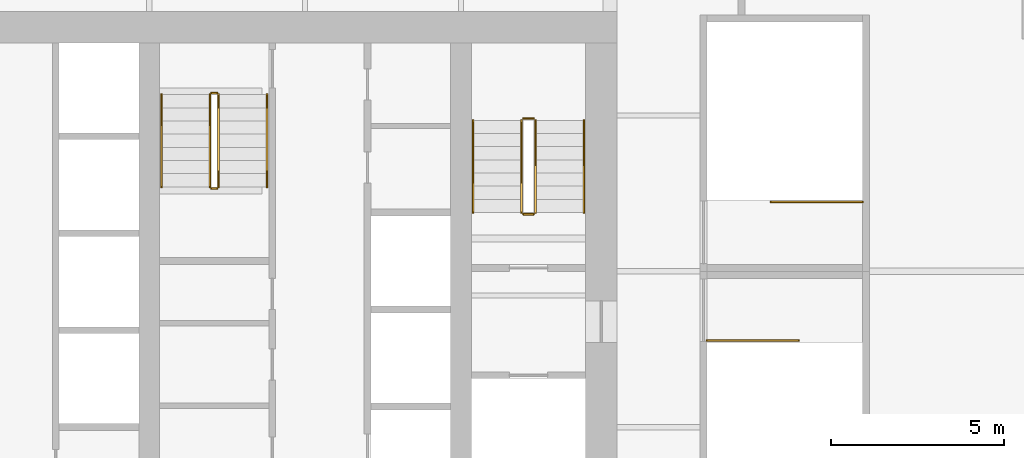
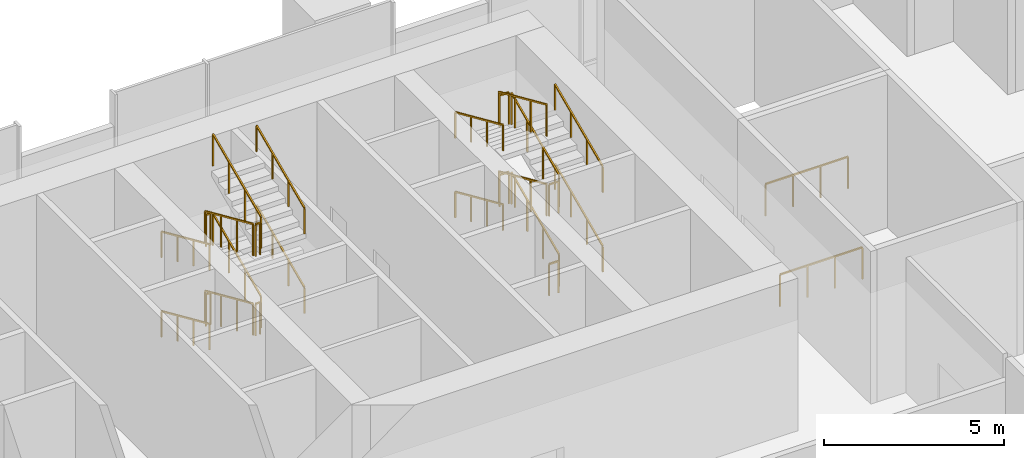
# One storey, part 15 of 16: 26 railings.
"""IFC4 building model written with IfcOpenShell, lengths in metres."""

from ifc_helpers import new_model, si_unit, direction, frame, origin, origin_2d, place, context, subcontext, project, spatial, rectangle, extrude, material, type_object, element, save


model = new_model("IFC4")

# Units and contexts
model_context = context("Model", 3, precision=1e-05, world=origin(), true_north=direction((0.0, 1.0)))
body_context = subcontext(model_context, "Body", "Model", "MODEL_VIEW")
ifc_project = project(units=[si_unit("LENGTHUNIT", "METRE"), si_unit("AREAUNIT", "SQUARE_METRE"), si_unit("VOLUMEUNIT", "CUBIC_METRE"), si_unit("PLANEANGLEUNIT", "RADIAN"), si_unit("MASSUNIT", "GRAM", prefix="KILO")], contexts=[model_context])

# Site, building, storey
site_placement = place(None, origin())
site = spatial("IfcSite", under=ifc_project, at=site_placement, CompositionType="ELEMENT")
building_placement = place(site_placement, origin())
building = spatial("IfcBuilding", under=site, at=building_placement, Name="Rattan Terrace Tower", CompositionType="ELEMENT")
storey_placement = place(building_placement, frame((0.0, 0.0, 27.0)))
storey = spatial("IfcBuildingStorey", under=building, at=storey_placement, Name="L05", CompositionType="ELEMENT", Elevation=27.0)

# Railings
ifc_material_1 = material(Name="Powder-coated steel guard", Category="steel")
railing_type_1 = type_object("IfcRailingType", Name="Core stair guard", PredefinedType="GUARDRAIL", material=ifc_material_1)
railing_1_placement = place(storey_placement, frame((15.64990234375, 1.699951171875, 0.168701171875)))
element("IfcRailing", 1, at=railing_1_placement, inside=storey, type_object=railing_type_1, Name="L05 S2 stair guard 1", PredefinedType="GUARDRAIL", context=body_context, shape_type="SweptSolid", body=[
    extrude(rectangle(XDim=0.048095703125, YDim=0.048095703125, at=origin_2d()), frame((0.0, 0.0, 1.076171875), z_axis=(0.0, 0.913925654661, 0.405881630223), x_axis=(-1.0, 0.0, 0.0)), (0.0, 0.0, 1.0), 2.91064453125),
    extrude(rectangle(XDim=0.0419921875, YDim=0.0419921875, at=origin_2d()), origin(), (0.0, 0.0, 1.0), 1.052001953125),
    extrude(rectangle(XDim=0.0419921875, YDim=0.0419921875, at=origin_2d()), frame((0.0, 0.88671875, 0.393798828125)), (0.0, 0.0, 1.0), 1.052001953125),
    extrude(rectangle(XDim=0.0419921875, YDim=0.0419921875, at=origin_2d()), frame((0.0, 1.7734375, 0.78759765625)), (0.0, 0.0, 1.0), 1.052001953125),
    extrude(rectangle(XDim=0.0419921875, YDim=0.0419921875, at=origin_2d()), frame((0.0, 2.66015625, 1.181396484375)), (0.0, 0.0, 1.0), 1.052001953125),
])
railing_2_placement = place(storey_placement, frame((15.60009765625, 4.409912109375, 1.35009765625)))
element("IfcRailing", 2, at=railing_2_placement, inside=storey, type_object=railing_type_1, Name="L05 S2 stair guard 2", PredefinedType="GUARDRAIL", context=body_context, shape_type="SweptSolid", body=[
    extrude(rectangle(XDim=0.048095703125, YDim=0.048095703125, at=origin_2d()), frame((0.0, 0.0, 1.076171875), z_axis=(-1.0, 0.0, 0.0), x_axis=(0.0, -1.0, 0.0)), (0.0, 0.0, 1.0), 0.300048828125),
    extrude(rectangle(XDim=0.0419921875, YDim=0.0419921875, at=origin_2d()), origin(), (0.0, 0.0, 1.0), 1.052001953125),
    extrude(rectangle(XDim=0.0419921875, YDim=0.0419921875, at=origin_2d()), frame((-0.300048828125, 0.0, 0.0)), (0.0, 0.0, 1.0), 1.052001953125),
])
railing_3_placement = place(storey_placement, frame((15.25, 4.360107421875, 1.518798828125)))
element("IfcRailing", 3, at=railing_3_placement, inside=storey, type_object=railing_type_1, Name="L05 S2 stair guard 3", PredefinedType="GUARDRAIL", context=body_context, shape_type="SweptSolid", body=[
    extrude(rectangle(XDim=0.048095703125, YDim=0.048095703125, at=origin_2d()), frame((0.0, 0.0, 1.076171875), z_axis=(0.0, -0.913956766905, 0.405811567391), x_axis=(1.0, 0.0, 0.0)), (0.0, 0.0, 1.0), 2.91064453125),
    extrude(rectangle(XDim=0.0419921875, YDim=0.0419921875, at=origin_2d()), origin(), (0.0, 0.0, 1.0), 1.052001953125),
    extrude(rectangle(XDim=0.0419921875, YDim=0.0419921875, at=origin_2d()), frame((0.0, -0.88671875, 0.393798828125)), (0.0, 0.0, 1.0), 1.052001953125),
    extrude(rectangle(XDim=0.0419921875, YDim=0.0419921875, at=origin_2d()), frame((0.0, -1.7734375, 0.787353515625)), (0.0, 0.0, 1.0), 1.052001953125),
    extrude(rectangle(XDim=0.0419921875, YDim=0.0419921875, at=origin_2d()), frame((0.0, -2.66015625, 1.18115234375)), (0.0, 0.0, 1.0), 1.052001953125),
])
railing_4_placement = place(storey_placement, frame((15.60009765625, 1.64990234375, 2.699951171875)))
element("IfcRailing", 4, at=railing_4_placement, inside=storey, type_object=railing_type_1, Name="L05 S2 stair guard 4", PredefinedType="GUARDRAIL", context=body_context, shape_type="SweptSolid", body=[
    extrude(rectangle(XDim=0.048095703125, YDim=0.048095703125, at=origin_2d()), frame((0.0, 0.0, 1.076171875), z_axis=(-1.0, 0.0, 0.0), x_axis=(0.0, -1.0, 0.0)), (0.0, 0.0, 1.0), 0.300048828125),
    extrude(rectangle(XDim=0.0419921875, YDim=0.0419921875, at=origin_2d()), origin(), (0.0, 0.0, 1.0), 1.052001953125),
    extrude(rectangle(XDim=0.0419921875, YDim=0.0419921875, at=origin_2d()), frame((-0.300048828125, 0.0, 0.0)), (0.0, 0.0, 1.0), 1.052001953125),
])
railing_5_placement = place(storey_placement, frame((15.64990234375, 1.699951171875, 2.86865234375)))
element("IfcRailing", 5, at=railing_5_placement, inside=storey, type_object=railing_type_1, Name="L05 S2 stair guard 5", PredefinedType="GUARDRAIL", context=body_context, shape_type="SweptSolid", body=[
    extrude(rectangle(XDim=0.048095703125, YDim=0.048095703125, at=origin_2d()), frame((0.0, 0.0, 1.076171875), z_axis=(0.0, 0.913925654661, 0.405881630223), x_axis=(-1.0, 0.0, 0.0)), (0.0, 0.0, 1.0), 2.91064453125),
    extrude(rectangle(XDim=0.0419921875, YDim=0.0419921875, at=origin_2d()), origin(), (0.0, 0.0, 1.0), 1.052001953125),
    extrude(rectangle(XDim=0.0419921875, YDim=0.0419921875, at=origin_2d()), frame((0.0, 0.88671875, 0.393798828125)), (0.0, 0.0, 1.0), 1.052001953125),
    extrude(rectangle(XDim=0.0419921875, YDim=0.0419921875, at=origin_2d()), frame((0.0, 1.7734375, 0.78759765625)), (0.0, 0.0, 1.0), 1.052001953125),
    extrude(rectangle(XDim=0.0419921875, YDim=0.0419921875, at=origin_2d()), frame((0.0, 2.66015625, 1.181396484375)), (0.0, 0.0, 1.0), 1.052001953125),
])
railing_6_placement = place(storey_placement, frame((15.60009765625, 4.409912109375, 4.050048828125)))
element("IfcRailing", 6, at=railing_6_placement, inside=storey, type_object=railing_type_1, Name="L05 S2 stair guard 6", PredefinedType="GUARDRAIL", context=body_context, shape_type="SweptSolid", body=[
    extrude(rectangle(XDim=0.048095703125, YDim=0.048095703125, at=origin_2d()), frame((0.0, 0.0, 1.076171875), z_axis=(-1.0, 0.0, 0.0), x_axis=(0.0, -1.0, 0.0)), (0.0, 0.0, 1.0), 0.300048828125),
    extrude(rectangle(XDim=0.0419921875, YDim=0.0419921875, at=origin_2d()), origin(), (0.0, 0.0, 1.0), 1.052001953125),
    extrude(rectangle(XDim=0.0419921875, YDim=0.0419921875, at=origin_2d()), frame((-0.300048828125, 0.0, 0.0)), (0.0, 0.0, 1.0), 1.052001953125),
])
railing_7_placement = place(storey_placement, frame((15.25, 4.360107421875, 4.21875)))
element("IfcRailing", 7, at=railing_7_placement, inside=storey, type_object=railing_type_1, Name="L05 S2 stair guard 7", PredefinedType="GUARDRAIL", context=body_context, shape_type="SweptSolid", body=[
    extrude(rectangle(XDim=0.048095703125, YDim=0.048095703125, at=origin_2d()), frame((0.0, 0.0, 1.076171875), z_axis=(0.0, -0.913956766905, 0.405811567391), x_axis=(1.0, 0.0, 0.0)), (0.0, 0.0, 1.0), 2.91064453125),
    extrude(rectangle(XDim=0.0419921875, YDim=0.0419921875, at=origin_2d()), origin(), (0.0, 0.0, 1.0), 1.052001953125),
    extrude(rectangle(XDim=0.0419921875, YDim=0.0419921875, at=origin_2d()), frame((0.0, -0.88671875, 0.393798828125)), (0.0, 0.0, 1.0), 1.052001953125),
    extrude(rectangle(XDim=0.0419921875, YDim=0.0419921875, at=origin_2d()), frame((0.0, -1.7734375, 0.787353515625)), (0.0, 0.0, 1.0), 1.052001953125),
    extrude(rectangle(XDim=0.0419921875, YDim=0.0419921875, at=origin_2d()), frame((0.0, -2.66015625, 1.18115234375)), (0.0, 0.0, 1.0), 1.052001953125),
])
railing_8_placement = place(storey_placement, frame((15.60009765625, 1.64990234375, 0.0)))
element("IfcRailing", 8, at=railing_8_placement, inside=storey, type_object=railing_type_1, Name="L05 S2 stair guard 8", PredefinedType="GUARDRAIL", context=body_context, shape_type="SweptSolid", body=[
    extrude(rectangle(XDim=0.048095703125, YDim=0.048095703125, at=origin_2d()), frame((0.0, 0.0, 1.076171875), z_axis=(-1.0, 0.0, 0.0), x_axis=(0.0, -1.0, 0.0)), (0.0, 0.0, 1.0), 0.300048828125),
    extrude(rectangle(XDim=0.0419921875, YDim=0.0419921875, at=origin_2d()), origin(), (0.0, 0.0, 1.0), 1.052001953125),
    extrude(rectangle(XDim=0.0419921875, YDim=0.0419921875, at=origin_2d()), frame((-0.300048828125, 0.0, 0.0)), (0.0, 0.0, 1.0), 1.052001953125),
])
railing_9_placement = place(storey_placement, frame((6.25, 5.10009765625, 0.168701171875)))
element("IfcRailing", 9, at=railing_9_placement, inside=storey, type_object=railing_type_1, Name="L05 S3 stair guard 1", PredefinedType="GUARDRAIL", context=body_context, shape_type="SweptSolid", body=[
    extrude(rectangle(XDim=0.048095703125, YDim=0.048095703125, at=origin_2d()), frame((0.0, 0.0, 1.076171875), z_axis=(0.0, -0.913925654661, 0.405881630223), x_axis=(1.0, 0.0, 0.0)), (0.0, 0.0, 1.0), 2.91064453125),
    extrude(rectangle(XDim=0.0419921875, YDim=0.0419921875, at=origin_2d()), origin(), (0.0, 0.0, 1.0), 1.052001953125),
    extrude(rectangle(XDim=0.0419921875, YDim=0.0419921875, at=origin_2d()), frame((0.0, -0.88671875, 0.393798828125)), (0.0, 0.0, 1.0), 1.052001953125),
    extrude(rectangle(XDim=0.0419921875, YDim=0.0419921875, at=origin_2d()), frame((0.0, -1.7734375, 0.78759765625)), (0.0, 0.0, 1.0), 1.052001953125),
    extrude(rectangle(XDim=0.0419921875, YDim=0.0419921875, at=origin_2d()), frame((0.0, -2.66015625, 1.181396484375)), (0.0, 0.0, 1.0), 1.052001953125),
])
railing_10_placement = place(storey_placement, frame((6.300048828125, 2.389892578125, 1.35009765625)))
element("IfcRailing", 10, at=railing_10_placement, inside=storey, type_object=railing_type_1, Name="L05 S3 stair guard 2", PredefinedType="GUARDRAIL", context=body_context, shape_type="SweptSolid", body=[
    extrude(rectangle(XDim=0.048095703125, YDim=0.048095703125, at=origin_2d()), frame((0.0, 0.0, 1.076171875), z_axis=(1.0, 0.0, 0.0), x_axis=(0.0, 1.0, 0.0)), (0.0, 0.0, 1.0), 0.14990234375),
    extrude(rectangle(XDim=0.0419921875, YDim=0.0419921875, at=origin_2d()), origin(), (0.0, 0.0, 1.0), 1.052001953125),
    extrude(rectangle(XDim=0.0419921875, YDim=0.0419921875, at=origin_2d()), frame((0.14990234375, 0.0, 0.0)), (0.0, 0.0, 1.0), 1.052001953125),
])
railing_11_placement = place(storey_placement, frame((6.5, 2.43994140625, 1.518798828125)))
element("IfcRailing", 11, at=railing_11_placement, inside=storey, type_object=railing_type_1, Name="L05 S3 stair guard 3", PredefinedType="GUARDRAIL", context=body_context, shape_type="SweptSolid", body=[
    extrude(rectangle(XDim=0.048095703125, YDim=0.048095703125, at=origin_2d()), frame((0.0, 0.0, 1.076171875), z_axis=(0.0, 0.913956766905, 0.405811567391), x_axis=(-1.0, 0.0, 0.0)), (0.0, 0.0, 1.0), 2.91064453125),
    extrude(rectangle(XDim=0.0419921875, YDim=0.0419921875, at=origin_2d()), origin(), (0.0, 0.0, 1.0), 1.052001953125),
    extrude(rectangle(XDim=0.0419921875, YDim=0.0419921875, at=origin_2d()), frame((0.0, 0.88671875, 0.393798828125)), (0.0, 0.0, 1.0), 1.052001953125),
    extrude(rectangle(XDim=0.0419921875, YDim=0.0419921875, at=origin_2d()), frame((0.0, 1.7734375, 0.787353515625)), (0.0, 0.0, 1.0), 1.052001953125),
    extrude(rectangle(XDim=0.0419921875, YDim=0.0419921875, at=origin_2d()), frame((0.0, 2.66015625, 1.18115234375)), (0.0, 0.0, 1.0), 1.052001953125),
])
railing_12_placement = place(storey_placement, frame((6.300048828125, 5.14990234375, 2.699951171875)))
element("IfcRailing", 12, at=railing_12_placement, inside=storey, type_object=railing_type_1, Name="L05 S3 stair guard 4", PredefinedType="GUARDRAIL", context=body_context, shape_type="SweptSolid", body=[
    extrude(rectangle(XDim=0.048095703125, YDim=0.048095703125, at=origin_2d()), frame((0.0, 0.0, 1.076171875), z_axis=(1.0, 0.0, 0.0), x_axis=(0.0, 1.0, 0.0)), (0.0, 0.0, 1.0), 0.14990234375),
    extrude(rectangle(XDim=0.0419921875, YDim=0.0419921875, at=origin_2d()), origin(), (0.0, 0.0, 1.0), 1.052001953125),
    extrude(rectangle(XDim=0.0419921875, YDim=0.0419921875, at=origin_2d()), frame((0.14990234375, 0.0, 0.0)), (0.0, 0.0, 1.0), 1.052001953125),
])
railing_13_placement = place(storey_placement, frame((6.25, 5.10009765625, 2.86865234375)))
element("IfcRailing", 13, at=railing_13_placement, inside=storey, type_object=railing_type_1, Name="L05 S3 stair guard 5", PredefinedType="GUARDRAIL", context=body_context, shape_type="SweptSolid", body=[
    extrude(rectangle(XDim=0.048095703125, YDim=0.048095703125, at=origin_2d()), frame((0.0, 0.0, 1.076171875), z_axis=(0.0, -0.913925654661, 0.405881630223), x_axis=(1.0, 0.0, 0.0)), (0.0, 0.0, 1.0), 2.91064453125),
    extrude(rectangle(XDim=0.0419921875, YDim=0.0419921875, at=origin_2d()), origin(), (0.0, 0.0, 1.0), 1.052001953125),
    extrude(rectangle(XDim=0.0419921875, YDim=0.0419921875, at=origin_2d()), frame((0.0, -0.88671875, 0.393798828125)), (0.0, 0.0, 1.0), 1.052001953125),
    extrude(rectangle(XDim=0.0419921875, YDim=0.0419921875, at=origin_2d()), frame((0.0, -1.7734375, 0.78759765625)), (0.0, 0.0, 1.0), 1.052001953125),
    extrude(rectangle(XDim=0.0419921875, YDim=0.0419921875, at=origin_2d()), frame((0.0, -2.66015625, 1.181396484375)), (0.0, 0.0, 1.0), 1.052001953125),
])
railing_14_placement = place(storey_placement, frame((6.300048828125, 2.389892578125, 4.050048828125)))
element("IfcRailing", 14, at=railing_14_placement, inside=storey, type_object=railing_type_1, Name="L05 S3 stair guard 6", PredefinedType="GUARDRAIL", context=body_context, shape_type="SweptSolid", body=[
    extrude(rectangle(XDim=0.048095703125, YDim=0.048095703125, at=origin_2d()), frame((0.0, 0.0, 1.076171875), z_axis=(1.0, 0.0, 0.0), x_axis=(0.0, 1.0, 0.0)), (0.0, 0.0, 1.0), 0.14990234375),
    extrude(rectangle(XDim=0.0419921875, YDim=0.0419921875, at=origin_2d()), origin(), (0.0, 0.0, 1.0), 1.052001953125),
    extrude(rectangle(XDim=0.0419921875, YDim=0.0419921875, at=origin_2d()), frame((0.14990234375, 0.0, 0.0)), (0.0, 0.0, 1.0), 1.052001953125),
])
railing_15_placement = place(storey_placement, frame((6.5, 2.43994140625, 4.21875)))
element("IfcRailing", 15, at=railing_15_placement, inside=storey, type_object=railing_type_1, Name="L05 S3 stair guard 7", PredefinedType="GUARDRAIL", context=body_context, shape_type="SweptSolid", body=[
    extrude(rectangle(XDim=0.048095703125, YDim=0.048095703125, at=origin_2d()), frame((0.0, 0.0, 1.076171875), z_axis=(0.0, 0.913956766905, 0.405811567391), x_axis=(-1.0, 0.0, 0.0)), (0.0, 0.0, 1.0), 2.91064453125),
    extrude(rectangle(XDim=0.0419921875, YDim=0.0419921875, at=origin_2d()), origin(), (0.0, 0.0, 1.0), 1.052001953125),
    extrude(rectangle(XDim=0.0419921875, YDim=0.0419921875, at=origin_2d()), frame((0.0, 0.88671875, 0.393798828125)), (0.0, 0.0, 1.0), 1.052001953125),
    extrude(rectangle(XDim=0.0419921875, YDim=0.0419921875, at=origin_2d()), frame((0.0, 1.7734375, 0.787353515625)), (0.0, 0.0, 1.0), 1.052001953125),
    extrude(rectangle(XDim=0.0419921875, YDim=0.0419921875, at=origin_2d()), frame((0.0, 2.66015625, 1.18115234375)), (0.0, 0.0, 1.0), 1.052001953125),
])
railing_16_placement = place(storey_placement, frame((6.300048828125, 5.14990234375, 0.0)))
element("IfcRailing", 16, at=railing_16_placement, inside=storey, type_object=railing_type_1, Name="L05 S3 stair guard 8", PredefinedType="GUARDRAIL", context=body_context, shape_type="SweptSolid", body=[
    extrude(rectangle(XDim=0.048095703125, YDim=0.048095703125, at=origin_2d()), frame((0.0, 0.0, 1.076171875), z_axis=(1.0, 0.0, 0.0), x_axis=(0.0, 1.0, 0.0)), (0.0, 0.0, 1.0), 0.14990234375),
    extrude(rectangle(XDim=0.0419921875, YDim=0.0419921875, at=origin_2d()), origin(), (0.0, 0.0, 1.0), 1.052001953125),
    extrude(rectangle(XDim=0.0419921875, YDim=0.0419921875, at=origin_2d()), frame((0.14990234375, 0.0, 0.0)), (0.0, 0.0, 1.0), 1.052001953125),
])
railing_17_placement = place(storey_placement, frame((20.60009765625, -2.0, 0.0)))
element("IfcRailing", 17, at=railing_17_placement, inside=storey, type_object=railing_type_1, Name="L05 S6 top well guard 1", PredefinedType="GUARDRAIL", context=body_context, shape_type="SweptSolid", body=[
    extrude(rectangle(XDim=0.048095703125, YDim=0.048095703125, at=origin_2d()), frame((0.0, 0.0, 1.076171875), z_axis=(1.0, 0.0, 0.0), x_axis=(0.0, 1.0, 0.0)), (0.0, 0.0, 1.0), 2.64990234375),
    extrude(rectangle(XDim=0.0419921875, YDim=0.0419921875, at=origin_2d()), origin(), (0.0, 0.0, 1.0), 1.052001953125),
    extrude(rectangle(XDim=0.0419921875, YDim=0.0419921875, at=origin_2d()), frame((0.88330078125, 0.0, 0.0)), (0.0, 0.0, 1.0), 1.052001953125),
    extrude(rectangle(XDim=0.0419921875, YDim=0.0419921875, at=origin_2d()), frame((1.7666015625, 0.0, 0.0)), (0.0, 0.0, 1.0), 1.052001953125),
    extrude(rectangle(XDim=0.0419921875, YDim=0.0419921875, at=origin_2d()), frame((2.64990234375, 0.0, 0.0)), (0.0, 0.0, 1.0), 1.052001953125),
])
railing_18_placement = place(storey_placement, frame((25.10009765625, 2.0, 0.0)))
element("IfcRailing", 18, at=railing_18_placement, inside=storey, type_object=railing_type_1, Name="L05 S7 top well guard 1", PredefinedType="GUARDRAIL", context=body_context, shape_type="SweptSolid", body=[
    extrude(rectangle(XDim=0.048095703125, YDim=0.048095703125, at=origin_2d()), frame((0.0, 0.0, 1.076171875), z_axis=(-1.0, 0.0, 0.0), x_axis=(0.0, -1.0, 0.0)), (0.0, 0.0, 1.0), 2.650146484375),
    extrude(rectangle(XDim=0.0419921875, YDim=0.0419921875, at=origin_2d()), origin(), (0.0, 0.0, 1.0), 1.052001953125),
    extrude(rectangle(XDim=0.0419921875, YDim=0.0419921875, at=origin_2d()), frame((-0.88330078125, 0.0, 0.0)), (0.0, 0.0, 1.0), 1.052001953125),
    extrude(rectangle(XDim=0.0419921875, YDim=0.0419921875, at=origin_2d()), frame((-1.766845703125, 0.0, 0.0)), (0.0, 0.0, 1.0), 1.052001953125),
    extrude(rectangle(XDim=0.0419921875, YDim=0.0419921875, at=origin_2d()), frame((-2.650146484375, 0.0, 0.0)), (0.0, 0.0, 1.0), 1.052001953125),
])
ifc_material_2 = material(Name="Powder-coated steel handrail", Category="steel")
railing_type_2 = type_object("IfcRailingType", Name="Core stair handrail", PredefinedType="HANDRAIL", material=ifc_material_2)
railing_19_placement = place(storey_placement, frame((17.050048828125, 1.699951171875, 0.168701171875)))
element("IfcRailing", 19, at=railing_19_placement, inside=storey, type_object=railing_type_2, Name="L05 S2 stair handrail 1", PredefinedType="HANDRAIL", context=body_context, shape_type="SweptSolid", body=[
    extrude(rectangle(XDim=0.048095703125, YDim=0.048095703125, at=origin_2d()), frame((0.0, 0.0, 0.8759765625), z_axis=(0.0, 0.913925654661, 0.405881630223), x_axis=(-1.0, 0.0, 0.0)), (0.0, 0.0, 1.0), 2.91064453125),
    extrude(rectangle(XDim=0.0419921875, YDim=0.0419921875, at=origin_2d()), origin(), (0.0, 0.0, 1.0), 0.851806640625),
    extrude(rectangle(XDim=0.0419921875, YDim=0.0419921875, at=origin_2d()), frame((0.0, 0.88671875, 0.393798828125)), (0.0, 0.0, 1.0), 0.851806640625),
    extrude(rectangle(XDim=0.0419921875, YDim=0.0419921875, at=origin_2d()), frame((0.0, 1.7734375, 0.78759765625)), (0.0, 0.0, 1.0), 0.851806640625),
    extrude(rectangle(XDim=0.0419921875, YDim=0.0419921875, at=origin_2d()), frame((0.0, 2.66015625, 1.181396484375)), (0.0, 0.0, 1.0), 0.851806640625),
])
railing_20_placement = place(storey_placement, frame((13.85009765625, 4.360107421875, 1.518798828125)))
element("IfcRailing", 20, at=railing_20_placement, inside=storey, type_object=railing_type_2, Name="L05 S2 stair handrail 2", PredefinedType="HANDRAIL", context=body_context, shape_type="SweptSolid", body=[
    extrude(rectangle(XDim=0.048095703125, YDim=0.048095703125, at=origin_2d()), frame((0.0, 0.0, 0.8759765625), z_axis=(0.0, -0.913956766905, 0.405811567391), x_axis=(1.0, 0.0, 0.0)), (0.0, 0.0, 1.0), 2.91064453125),
    extrude(rectangle(XDim=0.0419921875, YDim=0.0419921875, at=origin_2d()), origin(), (0.0, 0.0, 1.0), 0.851806640625),
    extrude(rectangle(XDim=0.0419921875, YDim=0.0419921875, at=origin_2d()), frame((0.0, -0.88671875, 0.393798828125)), (0.0, 0.0, 1.0), 0.851806640625),
    extrude(rectangle(XDim=0.0419921875, YDim=0.0419921875, at=origin_2d()), frame((0.0, -1.7734375, 0.787353515625)), (0.0, 0.0, 1.0), 0.851806640625),
    extrude(rectangle(XDim=0.0419921875, YDim=0.0419921875, at=origin_2d()), frame((0.0, -2.66015625, 1.18115234375)), (0.0, 0.0, 1.0), 0.851806640625),
])
railing_21_placement = place(storey_placement, frame((17.050048828125, 1.699951171875, 2.86865234375)))
element("IfcRailing", 21, at=railing_21_placement, inside=storey, type_object=railing_type_2, Name="L05 S2 stair handrail 3", PredefinedType="HANDRAIL", context=body_context, shape_type="SweptSolid", body=[
    extrude(rectangle(XDim=0.048095703125, YDim=0.048095703125, at=origin_2d()), frame((0.0, 0.0, 0.8759765625), z_axis=(0.0, 0.913925654661, 0.405881630223), x_axis=(-1.0, 0.0, 0.0)), (0.0, 0.0, 1.0), 2.91064453125),
    extrude(rectangle(XDim=0.0419921875, YDim=0.0419921875, at=origin_2d()), origin(), (0.0, 0.0, 1.0), 0.851806640625),
    extrude(rectangle(XDim=0.0419921875, YDim=0.0419921875, at=origin_2d()), frame((0.0, 0.88671875, 0.393798828125)), (0.0, 0.0, 1.0), 0.851806640625),
    extrude(rectangle(XDim=0.0419921875, YDim=0.0419921875, at=origin_2d()), frame((0.0, 1.7734375, 0.78759765625)), (0.0, 0.0, 1.0), 0.851806640625),
    extrude(rectangle(XDim=0.0419921875, YDim=0.0419921875, at=origin_2d()), frame((0.0, 2.66015625, 1.181396484375)), (0.0, 0.0, 1.0), 0.851806640625),
])
railing_22_placement = place(storey_placement, frame((13.85009765625, 4.360107421875, 4.21875)))
element("IfcRailing", 22, at=railing_22_placement, inside=storey, type_object=railing_type_2, Name="L05 S2 stair handrail 4", PredefinedType="HANDRAIL", context=body_context, shape_type="SweptSolid", body=[
    extrude(rectangle(XDim=0.048095703125, YDim=0.048095703125, at=origin_2d()), frame((0.0, 0.0, 0.8759765625), z_axis=(0.0, -0.913956766905, 0.405811567391), x_axis=(1.0, 0.0, 0.0)), (0.0, 0.0, 1.0), 2.91064453125),
    extrude(rectangle(XDim=0.0419921875, YDim=0.0419921875, at=origin_2d()), origin(), (0.0, 0.0, 1.0), 0.851806640625),
    extrude(rectangle(XDim=0.0419921875, YDim=0.0419921875, at=origin_2d()), frame((0.0, -0.88671875, 0.393798828125)), (0.0, 0.0, 1.0), 0.851806640625),
    extrude(rectangle(XDim=0.0419921875, YDim=0.0419921875, at=origin_2d()), frame((0.0, -1.7734375, 0.787353515625)), (0.0, 0.0, 1.0), 0.851806640625),
    extrude(rectangle(XDim=0.0419921875, YDim=0.0419921875, at=origin_2d()), frame((0.0, -2.66015625, 1.18115234375)), (0.0, 0.0, 1.0), 0.851806640625),
])
railing_23_placement = place(storey_placement, frame((4.85009765625, 5.10009765625, 0.168701171875)))
element("IfcRailing", 23, at=railing_23_placement, inside=storey, type_object=railing_type_2, Name="L05 S3 stair handrail 1", PredefinedType="HANDRAIL", context=body_context, shape_type="SweptSolid", body=[
    extrude(rectangle(XDim=0.048095703125, YDim=0.048095703125, at=origin_2d()), frame((0.0, 0.0, 0.8759765625), z_axis=(0.0, -0.913925654661, 0.405881630223), x_axis=(1.0, 0.0, 0.0)), (0.0, 0.0, 1.0), 2.91064453125),
    extrude(rectangle(XDim=0.0419921875, YDim=0.0419921875, at=origin_2d()), origin(), (0.0, 0.0, 1.0), 0.851806640625),
    extrude(rectangle(XDim=0.0419921875, YDim=0.0419921875, at=origin_2d()), frame((0.0, -0.88671875, 0.393798828125)), (0.0, 0.0, 1.0), 0.851806640625),
    extrude(rectangle(XDim=0.0419921875, YDim=0.0419921875, at=origin_2d()), frame((0.0, -1.7734375, 0.78759765625)), (0.0, 0.0, 1.0), 0.851806640625),
    extrude(rectangle(XDim=0.0419921875, YDim=0.0419921875, at=origin_2d()), frame((0.0, -2.66015625, 1.181396484375)), (0.0, 0.0, 1.0), 0.851806640625),
])
railing_24_placement = place(storey_placement, frame((7.89990234375, 2.43994140625, 1.518798828125)))
element("IfcRailing", 24, at=railing_24_placement, inside=storey, type_object=railing_type_2, Name="L05 S3 stair handrail 2", PredefinedType="HANDRAIL", context=body_context, shape_type="SweptSolid", body=[
    extrude(rectangle(XDim=0.048095703125, YDim=0.048095703125, at=origin_2d()), frame((0.0, 0.0, 0.8759765625), z_axis=(0.0, 0.913956766905, 0.405811567391), x_axis=(-1.0, 0.0, 0.0)), (0.0, 0.0, 1.0), 2.91064453125),
    extrude(rectangle(XDim=0.0419921875, YDim=0.0419921875, at=origin_2d()), origin(), (0.0, 0.0, 1.0), 0.851806640625),
    extrude(rectangle(XDim=0.0419921875, YDim=0.0419921875, at=origin_2d()), frame((0.0, 0.88671875, 0.393798828125)), (0.0, 0.0, 1.0), 0.851806640625),
    extrude(rectangle(XDim=0.0419921875, YDim=0.0419921875, at=origin_2d()), frame((0.0, 1.7734375, 0.787353515625)), (0.0, 0.0, 1.0), 0.851806640625),
    extrude(rectangle(XDim=0.0419921875, YDim=0.0419921875, at=origin_2d()), frame((0.0, 2.66015625, 1.18115234375)), (0.0, 0.0, 1.0), 0.851806640625),
])
railing_25_placement = place(storey_placement, frame((4.85009765625, 5.10009765625, 2.86865234375)))
element("IfcRailing", 25, at=railing_25_placement, inside=storey, type_object=railing_type_2, Name="L05 S3 stair handrail 3", PredefinedType="HANDRAIL", context=body_context, shape_type="SweptSolid", body=[
    extrude(rectangle(XDim=0.048095703125, YDim=0.048095703125, at=origin_2d()), frame((0.0, 0.0, 0.8759765625), z_axis=(0.0, -0.913925654661, 0.405881630223), x_axis=(1.0, 0.0, 0.0)), (0.0, 0.0, 1.0), 2.91064453125),
    extrude(rectangle(XDim=0.0419921875, YDim=0.0419921875, at=origin_2d()), origin(), (0.0, 0.0, 1.0), 0.851806640625),
    extrude(rectangle(XDim=0.0419921875, YDim=0.0419921875, at=origin_2d()), frame((0.0, -0.88671875, 0.393798828125)), (0.0, 0.0, 1.0), 0.851806640625),
    extrude(rectangle(XDim=0.0419921875, YDim=0.0419921875, at=origin_2d()), frame((0.0, -1.7734375, 0.78759765625)), (0.0, 0.0, 1.0), 0.851806640625),
    extrude(rectangle(XDim=0.0419921875, YDim=0.0419921875, at=origin_2d()), frame((0.0, -2.66015625, 1.181396484375)), (0.0, 0.0, 1.0), 0.851806640625),
])
railing_26_placement = place(storey_placement, frame((7.89990234375, 2.43994140625, 4.21875)))
element("IfcRailing", 26, at=railing_26_placement, inside=storey, type_object=railing_type_2, Name="L05 S3 stair handrail 4", PredefinedType="HANDRAIL", context=body_context, shape_type="SweptSolid", body=[
    extrude(rectangle(XDim=0.048095703125, YDim=0.048095703125, at=origin_2d()), frame((0.0, 0.0, 0.8759765625), z_axis=(0.0, 0.913956766905, 0.405811567391), x_axis=(-1.0, 0.0, 0.0)), (0.0, 0.0, 1.0), 2.91064453125),
    extrude(rectangle(XDim=0.0419921875, YDim=0.0419921875, at=origin_2d()), origin(), (0.0, 0.0, 1.0), 0.851806640625),
    extrude(rectangle(XDim=0.0419921875, YDim=0.0419921875, at=origin_2d()), frame((0.0, 0.88671875, 0.393798828125)), (0.0, 0.0, 1.0), 0.851806640625),
    extrude(rectangle(XDim=0.0419921875, YDim=0.0419921875, at=origin_2d()), frame((0.0, 1.7734375, 0.787353515625)), (0.0, 0.0, 1.0), 0.851806640625),
    extrude(rectangle(XDim=0.0419921875, YDim=0.0419921875, at=origin_2d()), frame((0.0, 2.66015625, 1.18115234375)), (0.0, 0.0, 1.0), 0.851806640625),
])

save(model, "model.ifc")
